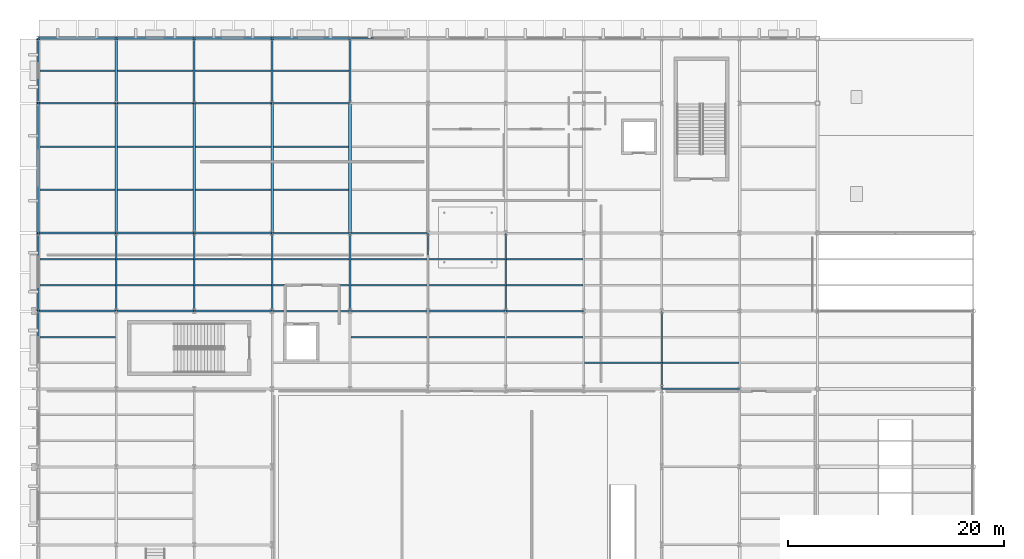
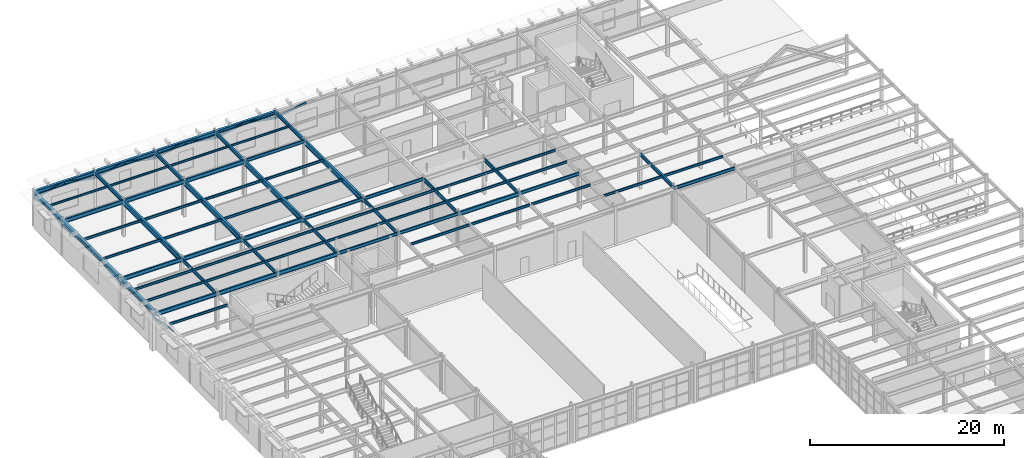
# One storey, part 56 of 126: 71 beams, 16 members.
"""IFC4 building model written with IfcOpenShell, lengths in metres."""

from ifc_helpers import new_model, si_unit, direction, frame, origin, origin_2d, place, context, subcontext, project, spatial, hollow_rectangle, i_section, extrude, material, material_profile, profile_set, type_object, element, save


model = new_model("IFC4")

# Units and contexts
model_context = context("Model", 3, precision=1e-05, world=origin(), true_north=direction((0.0, 1.0)))
body_context = subcontext(model_context, "Body", "Model", "MODEL_VIEW")
ifc_project = project(units=[si_unit("LENGTHUNIT", "METRE"), si_unit("AREAUNIT", "SQUARE_METRE"), si_unit("VOLUMEUNIT", "CUBIC_METRE"), si_unit("PLANEANGLEUNIT", "RADIAN"), si_unit("MASSUNIT", "GRAM", prefix="KILO")], contexts=[model_context])

# Site, building, storey
site_placement = place(None, origin())
site = spatial("IfcSite", under=ifc_project, at=site_placement, CompositionType="ELEMENT")
building_placement = place(site_placement, origin())
building = spatial("IfcBuilding", under=site, at=building_placement, Name="Solvadek Multi-Sports Hall", CompositionType="ELEMENT")
storey_placement = place(building_placement, frame((0.0, 0.0, 9.60009765625)))
storey = spatial("IfcBuildingStorey", under=building, at=storey_placement, Name="L02", CompositionType="ELEMENT", Elevation=9.60009765625)

# Members
ifc_material_1 = material(Name="Steel E350 (350 MPa)", Category="steel")
ifc_material_profile_1 = material_profile(ifc_material_1, hollow_rectangle(XDim=0.14990234375, YDim=0.25, WallThickness=0.010009765625, at=origin_2d()), Name="RHS 250x150x10")
ifc_profile_set_1 = profile_set([ifc_material_profile_1], Name="Steel E350 (350 MPa)")
member_type = type_object("IfcMemberType", Name="STR-ARC-RHS250", PredefinedType="USERDEFINED", material=ifc_profile_set_1)
member_1_placement = place(storey_placement, frame((0.0, 81.60009765625, 4.31982421875), z_axis=(0.0, 0.9831211258, -0.182955874479), x_axis=(-1.0, 0.0, 0.0)))
element("IfcMember", 1, at=member_1_placement, inside=storey, type_object=member_type, Name="L02 West Facade Pointed Ottoman Arch 9R", ObjectType="ARCH_SEGMENT", PredefinedType="USERDEFINED", context=body_context, shape_type="SweptSolid", body=[
    extrude(hollow_rectangle(XDim=0.14990234375, YDim=0.25, WallThickness=0.010009765625, at=origin_2d()), origin(), (0.0, 0.0, 1.0), 3.66162109375),
])
member_2_placement = place(storey_placement, frame((0.0, 85.199951171875, 3.64990234375), z_axis=(0.0, 0.983123357379, 0.182943882588), x_axis=(-1.0, 0.0, 0.0)))
element("IfcMember", 2, at=member_2_placement, inside=storey, type_object=member_type, Name="L02 West Facade Pointed Ottoman Arch 10L", ObjectType="ARCH_SEGMENT", PredefinedType="USERDEFINED", context=body_context, shape_type="SweptSolid", body=[
    extrude(hollow_rectangle(XDim=0.14990234375, YDim=0.25, WallThickness=0.010009765625, at=origin_2d()), origin(), (0.0, 0.0, 1.0), 3.661865234375),
])
member_3_placement = place(storey_placement, frame((0.0, 88.800048828125, 4.31982421875), z_axis=(0.0, 0.9831211258, -0.182955874479), x_axis=(-1.0, 0.0, 0.0)))
element("IfcMember", 3, at=member_3_placement, inside=storey, type_object=member_type, Name="L02 West Facade Pointed Ottoman Arch 10R", ObjectType="ARCH_SEGMENT", PredefinedType="USERDEFINED", context=body_context, shape_type="SweptSolid", body=[
    extrude(hollow_rectangle(XDim=0.14990234375, YDim=0.25, WallThickness=0.010009765625, at=origin_2d()), origin(), (0.0, 0.0, 1.0), 3.66162109375),
])
for number, where, z_axis, x_axis, name in (
    (4, (0.0, 92.39990234375, 3.64990234375), (0.0, 0.993824413205, 0.110964119053), (-1.0, 0.0, 0.0), "L02 West Facade Pointed Ottoman Arch 11L"),
    (5, (0.0, 98.39990234375, 4.31982421875), (0.0, 0.993824413205, -0.110964119053), (-1.0, 0.0, 0.0), "L02 West Facade Pointed Ottoman Arch 11R"),
):
    element("IfcMember", number, at=place(storey_placement, frame(where, z_axis=z_axis, x_axis=x_axis)), inside=storey, type_object=member_type, Name=name, ObjectType="ARCH_SEGMENT", PredefinedType="USERDEFINED", context=body_context, shape_type="SweptSolid", body=[
        extrude(hollow_rectangle(XDim=0.14990234375, YDim=0.25, WallThickness=0.010009765625, at=origin_2d()), origin(), (0.0, 0.0, 1.0), 6.037353515625),
    ])
for number, where, z_axis, x_axis, name in (
    (6, (0.0, 104.39990234375, 3.64990234375), (0.0, 0.975962282529, 0.21793949408), (-1.0, 0.0, 0.0), "L02 West Facade Pointed Ottoman Arch 12L"),
    (7, (0.0, 107.39990234375, 4.31982421875), (0.0, 0.975962282529, -0.21793949408), (-1.0, 0.0, 0.0), "L02 West Facade Pointed Ottoman Arch 12R"),
):
    element("IfcMember", number, at=place(storey_placement, frame(where, z_axis=z_axis, x_axis=x_axis)), inside=storey, type_object=member_type, Name=name, ObjectType="ARCH_SEGMENT", PredefinedType="USERDEFINED", context=body_context, shape_type="SweptSolid", body=[
        extrude(hollow_rectangle(XDim=0.14990234375, YDim=0.25, WallThickness=0.010009765625, at=origin_2d()), origin(), (0.0, 0.0, 1.0), 3.073974609375),
    ])
member_4_placement = place(storey_placement, frame((0.0, 110.39990234375, 3.64990234375), z_axis=(0.983123357379, 0.0, 0.182943882588), x_axis=(0.0, 1.0, 0.0)))
element("IfcMember", 8, at=member_4_placement, inside=storey, type_object=member_type, Name="L02 North Facade Pointed Ottoman Arch 1L", ObjectType="ARCH_SEGMENT", PredefinedType="USERDEFINED", context=body_context, shape_type="SweptSolid", body=[
    extrude(hollow_rectangle(XDim=0.14990234375, YDim=0.25, WallThickness=0.010009765625, at=origin_2d()), origin(), (0.0, 0.0, 1.0), 3.661865234375),
])
member_5_placement = place(storey_placement, frame((3.60009765625, 110.39990234375, 4.31982421875), z_axis=(0.9831211258, 0.0, -0.182955874479), x_axis=(0.0, 1.0, 0.0)))
element("IfcMember", 9, at=member_5_placement, inside=storey, type_object=member_type, Name="L02 North Facade Pointed Ottoman Arch 1R", ObjectType="ARCH_SEGMENT", PredefinedType="USERDEFINED", context=body_context, shape_type="SweptSolid", body=[
    extrude(hollow_rectangle(XDim=0.14990234375, YDim=0.25, WallThickness=0.010009765625, at=origin_2d()), origin(), (0.0, 0.0, 1.0), 3.66162109375),
])
member_6_placement = place(storey_placement, frame((7.199951171875, 110.39990234375, 3.64990234375), z_axis=(0.983123357379, 0.0, 0.182943882588), x_axis=(0.0, 1.0, 0.0)))
element("IfcMember", 10, at=member_6_placement, inside=storey, type_object=member_type, Name="L02 North Facade Pointed Ottoman Arch 2L", ObjectType="ARCH_SEGMENT", PredefinedType="USERDEFINED", context=body_context, shape_type="SweptSolid", body=[
    extrude(hollow_rectangle(XDim=0.14990234375, YDim=0.25, WallThickness=0.010009765625, at=origin_2d()), origin(), (0.0, 0.0, 1.0), 3.661865234375),
])
member_7_placement = place(storey_placement, frame((10.800048828125, 110.39990234375, 4.31982421875), z_axis=(0.9831211258, 0.0, -0.182955874479), x_axis=(0.0, 1.0, 0.0)))
element("IfcMember", 11, at=member_7_placement, inside=storey, type_object=member_type, Name="L02 North Facade Pointed Ottoman Arch 2R", ObjectType="ARCH_SEGMENT", PredefinedType="USERDEFINED", context=body_context, shape_type="SweptSolid", body=[
    extrude(hollow_rectangle(XDim=0.14990234375, YDim=0.25, WallThickness=0.010009765625, at=origin_2d()), origin(), (0.0, 0.0, 1.0), 3.66162109375),
])
for number, where, z_axis, x_axis, name in (
    (12, (14.39990234375, 110.39990234375, 3.64990234375), (0.983123357379, 0.0, 0.182943882588), (0.0, 1.0, 0.0), "L02 North Facade Pointed Ottoman Arch 3L"),
    (13, (18.0, 110.39990234375, 4.31982421875), (0.983123357379, 0.0, -0.182943882588), (0.0, 1.0, 0.0), "L02 North Facade Pointed Ottoman Arch 3R"),
):
    element("IfcMember", number, at=place(storey_placement, frame(where, z_axis=z_axis, x_axis=x_axis)), inside=storey, type_object=member_type, Name=name, ObjectType="ARCH_SEGMENT", PredefinedType="USERDEFINED", context=body_context, shape_type="SweptSolid", body=[
        extrude(hollow_rectangle(XDim=0.14990234375, YDim=0.25, WallThickness=0.010009765625, at=origin_2d()), origin(), (0.0, 0.0, 1.0), 3.661865234375),
    ])
member_8_placement = place(storey_placement, frame((21.60009765625, 110.39990234375, 3.64990234375), z_axis=(0.9831211258, 0.0, 0.182955874479), x_axis=(0.0, 1.0, 0.0)))
element("IfcMember", 14, at=member_8_placement, inside=storey, type_object=member_type, Name="L02 North Facade Pointed Ottoman Arch 4L", ObjectType="ARCH_SEGMENT", PredefinedType="USERDEFINED", context=body_context, shape_type="SweptSolid", body=[
    extrude(hollow_rectangle(XDim=0.14990234375, YDim=0.25, WallThickness=0.010009765625, at=origin_2d()), origin(), (0.0, 0.0, 1.0), 3.66162109375),
])
member_9_placement = place(storey_placement, frame((25.199951171875, 110.39990234375, 4.31982421875), z_axis=(0.983123357379, 0.0, -0.182943882588), x_axis=(0.0, 1.0, 0.0)))
element("IfcMember", 15, at=member_9_placement, inside=storey, type_object=member_type, Name="L02 North Facade Pointed Ottoman Arch 4R", ObjectType="ARCH_SEGMENT", PredefinedType="USERDEFINED", context=body_context, shape_type="SweptSolid", body=[
    extrude(hollow_rectangle(XDim=0.14990234375, YDim=0.25, WallThickness=0.010009765625, at=origin_2d()), origin(), (0.0, 0.0, 1.0), 3.661865234375),
])
member_10_placement = place(storey_placement, frame((28.800048828125, 110.39990234375, 3.64990234375), z_axis=(0.9831211258, 0.0, 0.182955874479), x_axis=(0.0, 1.0, 0.0)))
element("IfcMember", 16, at=member_10_placement, inside=storey, type_object=member_type, Name="L02 North Facade Pointed Ottoman Arch 5L", ObjectType="ARCH_SEGMENT", PredefinedType="USERDEFINED", context=body_context, shape_type="SweptSolid", body=[
    extrude(hollow_rectangle(XDim=0.14990234375, YDim=0.25, WallThickness=0.010009765625, at=origin_2d()), origin(), (0.0, 0.0, 1.0), 3.66162109375),
])

# Beams
ifc_material_profile_2 = material_profile(ifc_material_1, i_section(OverallWidth=0.139892578125, OverallDepth=0.39990234375, WebThickness=0.0087890625, FlangeThickness=0.01611328125, at=origin_2d()), Name="ISMB 400")
ifc_profile_set_2 = profile_set([ifc_material_profile_2], Name="Steel E350 (350 MPa)")
beam_type_1 = type_object("IfcBeamType", Name="STR-BM-ISMB400", PredefinedType="BEAM", material=ifc_profile_set_2)
for number, where, z_axis, x_axis, name in (
    (17, (57.60009765625, 78.0, 4.35986328125), (1.0, 0.0, 0.0), (0.0, 1.0, 0.0), "L02 Girder B-10 #1403"),
    (18, (21.60009765625, 85.199951171875, 4.35986328125), (1.0, 0.0, 0.0), (0.0, 1.0, 0.0), "L02 Girder B-10 #1409"),
    (19, (28.800048828125, 85.199951171875, 4.35986328125), (1.0, 0.0, 0.0), (0.0, 1.0, 0.0), "L02 Girder B-10 #1410"),
    (20, (43.199951171875, 85.199951171875, 4.35986328125), (1.0, 0.0, 0.0), (0.0, 1.0, 0.0), "L02 Girder B-10 #1412"),
    (21, (21.60009765625, 92.39990234375, 4.35986328125), (1.0, 0.0, 0.0), (0.0, 1.0, 0.0), "L02 Girder B-10 #1420"),
    (22, (28.800048828125, 92.39990234375, 4.35986328125), (1.0, 0.0, 0.0), (0.0, 1.0, 0.0), "L02 Girder B-10 #1421"),
    (23, (21.60009765625, 104.39990234375, 4.35986328125), (1.0, 0.0, 0.0), (0.0, 1.0, 0.0), "L02 Girder B-10 #1431"),
):
    element("IfcBeam", number, at=place(storey_placement, frame(where, z_axis=z_axis, x_axis=x_axis)), inside=storey, type_object=beam_type_1, Name=name, PredefinedType="BEAM", context=body_context, shape_type="SweptSolid", body=[
        extrude(i_section(OverallWidth=0.139892578125, OverallDepth=0.39990234375, WebThickness=0.0087890625, FlangeThickness=0.01611328125, at=origin_2d()), origin(), (0.0, 0.0, 1.0), 7.199951171875),
    ])
ifc_material_profile_3 = material_profile(ifc_material_1, i_section(OverallWidth=0.14990234375, OverallDepth=0.449951171875, WebThickness=0.009521484375, FlangeThickness=0.017333984375, at=origin_2d()), Name="ISMB 450")
ifc_profile_set_3 = profile_set([ifc_material_profile_3], Name="Steel E350 (350 MPa)")
beam_type_2 = type_object("IfcBeamType", Name="STR-BM-ISMB450", PredefinedType="BEAM", material=ifc_profile_set_3)
for number, where, z_axis, x_axis, name in (
    (24, (7.199951171875, 85.199951171875, 4.3349609375), (0.0, 1.0, 0.0), (-1.0, 0.0, 0.0), "L02 Girder B-09 #1472"),
    (25, (14.39990234375, 85.199951171875, 4.3349609375), (0.0, 1.0, 0.0), (-1.0, 0.0, 0.0), "L02 Girder B-09 #1483"),
    (26, (21.60009765625, 85.199951171875, 4.3349609375), (0.0, 1.0, 0.0), (-1.0, 0.0, 0.0), "L02 Girder B-09 #1495"),
    (27, (28.800048828125, 85.199951171875, 4.3349609375), (0.0, 1.0, 0.0), (-1.0, 0.0, 0.0), "L02 Girder B-09 #1499"),
    (28, (36.0, 85.199951171875, 4.3349609375), (0.0, 1.0, 0.0), (-1.0, 0.0, 0.0), "L02 Girder B-09 #1504"),
    (29, (43.199951171875, 85.199951171875, 4.3349609375), (0.0, 1.0, 0.0), (-1.0, 0.0, 0.0), "L02 Girder B-09 #1510"),
    (30, (57.60009765625, 78.0, 4.3349609375), (0.0, 1.0, 0.0), (-1.0, 0.0, 0.0), "L02 Girder B-09 #1532"),
):
    element("IfcBeam", number, at=place(storey_placement, frame(where, z_axis=z_axis, x_axis=x_axis)), inside=storey, type_object=beam_type_2, Name=name, PredefinedType="BEAM", context=body_context, shape_type="SweptSolid", body=[
        extrude(i_section(OverallWidth=0.14990234375, OverallDepth=0.449951171875, WebThickness=0.009521484375, FlangeThickness=0.017333984375, at=origin_2d()), origin(), (0.0, 0.0, 1.0), 7.199951171875),
    ])
ifc_material_profile_4 = material_profile(ifc_material_1, i_section(OverallWidth=0.179931640625, OverallDepth=0.5, WebThickness=0.01025390625, FlangeThickness=0.01708984375, at=origin_2d()), Name="ISMB 500")
ifc_profile_set_4 = profile_set([ifc_material_profile_4], Name="Steel E350 (350 MPa)")
beam_type_3 = type_object("IfcBeamType", Name="STR-BM-ISMB500", PredefinedType="BEAM", material=ifc_profile_set_4)
for number, where, z_axis, x_axis, name in (
    (31, (0.0, 85.199951171875, 4.309814453125), (1.0, 0.0, 0.0), (0.0, 1.0, 0.0), "L02 Girder B-07 #1406"),
    (32, (7.199951171875, 85.199951171875, 4.309814453125), (1.0, 0.0, 0.0), (0.0, 1.0, 0.0), "L02 Girder B-07 #1407"),
):
    element("IfcBeam", number, at=place(storey_placement, frame(where, z_axis=z_axis, x_axis=x_axis)), inside=storey, type_object=beam_type_3, Name=name, PredefinedType="BEAM", context=body_context, shape_type="SweptSolid", body=[
        extrude(i_section(OverallWidth=0.179931640625, OverallDepth=0.5, WebThickness=0.01025390625, FlangeThickness=0.01708984375, at=origin_2d()), origin(), (0.0, 0.0, 1.0), 7.199951171875),
    ])
beam_1_placement = place(storey_placement, frame((14.39990234375, 85.199951171875, 4.309814453125), z_axis=(1.0, 0.0, 0.0), x_axis=(0.0, 1.0, 0.0)))
element("IfcBeam", 33, at=beam_1_placement, inside=storey, type_object=beam_type_3, Name="L02 Girder B-07 #1408", PredefinedType="BEAM", context=body_context, shape_type="SweptSolid", body=[
    extrude(i_section(OverallWidth=0.179931640625, OverallDepth=0.5, WebThickness=0.01025390625, FlangeThickness=0.01708984375, at=origin_2d()), origin(), (0.0, 0.0, 1.0), 7.2001953125),
])
for number, where, z_axis, x_axis, name in (
    (34, (36.0, 85.199951171875, 4.309814453125), (1.0, 0.0, 0.0), (0.0, 1.0, 0.0), "L02 Girder B-07 #1411"),
    (35, (0.0, 92.39990234375, 4.309814453125), (1.0, 0.0, 0.0), (0.0, 1.0, 0.0), "L02 Girder B-07 #1417"),
    (36, (7.199951171875, 92.39990234375, 4.309814453125), (1.0, 0.0, 0.0), (0.0, 1.0, 0.0), "L02 Girder B-07 #1418"),
):
    element("IfcBeam", number, at=place(storey_placement, frame(where, z_axis=z_axis, x_axis=x_axis)), inside=storey, type_object=beam_type_3, Name=name, PredefinedType="BEAM", context=body_context, shape_type="SweptSolid", body=[
        extrude(i_section(OverallWidth=0.179931640625, OverallDepth=0.5, WebThickness=0.01025390625, FlangeThickness=0.01708984375, at=origin_2d()), origin(), (0.0, 0.0, 1.0), 7.199951171875),
    ])
beam_2_placement = place(storey_placement, frame((14.39990234375, 92.39990234375, 4.309814453125), z_axis=(1.0, 0.0, 0.0), x_axis=(0.0, 1.0, 0.0)))
element("IfcBeam", 37, at=beam_2_placement, inside=storey, type_object=beam_type_3, Name="L02 Girder B-07 #1419", PredefinedType="BEAM", context=body_context, shape_type="SweptSolid", body=[
    extrude(i_section(OverallWidth=0.179931640625, OverallDepth=0.5, WebThickness=0.01025390625, FlangeThickness=0.01708984375, at=origin_2d()), origin(), (0.0, 0.0, 1.0), 7.2001953125),
])
for number, where, z_axis, x_axis, name in (
    (38, (0.0, 104.39990234375, 4.309814453125), (1.0, 0.0, 0.0), (0.0, 1.0, 0.0), "L02 Girder B-07 #1428"),
    (39, (7.199951171875, 104.39990234375, 4.309814453125), (1.0, 0.0, 0.0), (0.0, 1.0, 0.0), "L02 Girder B-07 #1429"),
):
    element("IfcBeam", number, at=place(storey_placement, frame(where, z_axis=z_axis, x_axis=x_axis)), inside=storey, type_object=beam_type_3, Name=name, PredefinedType="BEAM", context=body_context, shape_type="SweptSolid", body=[
        extrude(i_section(OverallWidth=0.179931640625, OverallDepth=0.5, WebThickness=0.01025390625, FlangeThickness=0.01708984375, at=origin_2d()), origin(), (0.0, 0.0, 1.0), 7.199951171875),
    ])
beam_3_placement = place(storey_placement, frame((14.39990234375, 104.39990234375, 4.309814453125), z_axis=(1.0, 0.0, 0.0), x_axis=(0.0, 1.0, 0.0)))
element("IfcBeam", 40, at=beam_3_placement, inside=storey, type_object=beam_type_3, Name="L02 Girder B-07 #1430", PredefinedType="BEAM", context=body_context, shape_type="SweptSolid", body=[
    extrude(i_section(OverallWidth=0.179931640625, OverallDepth=0.5, WebThickness=0.01025390625, FlangeThickness=0.01708984375, at=origin_2d()), origin(), (0.0, 0.0, 1.0), 7.2001953125),
])
ifc_material_profile_5 = material_profile(ifc_material_1, i_section(OverallWidth=0.18994140625, OverallDepth=0.449951171875, WebThickness=0.009521484375, FlangeThickness=0.0146484375, at=origin_2d()), Name="NPB 450")
ifc_profile_set_5 = profile_set([ifc_material_profile_5], Name="Steel E350 (350 MPa)")
beam_type_4 = type_object("IfcBeamType", Name="STR-BM-NPB450", PredefinedType="BEAM", material=ifc_profile_set_5)
for number, where, z_axis, x_axis, name in (
    (41, (7.199951171875, 104.39990234375, 4.3349609375), (0.0, 1.0, 0.0), (-1.0, 0.0, 0.0), "L02 Girder B-08 #1474"),
    (42, (14.39990234375, 104.39990234375, 4.3349609375), (0.0, 1.0, 0.0), (-1.0, 0.0, 0.0), "L02 Girder B-08 #1485"),
    (43, (21.60009765625, 104.39990234375, 4.3349609375), (0.0, 1.0, 0.0), (-1.0, 0.0, 0.0), "L02 Girder B-08 #1497"),
    (44, (28.800048828125, 104.39990234375, 4.3349609375), (0.0, 1.0, 0.0), (-1.0, 0.0, 0.0), "L02 Girder B-08 #1501"),
):
    element("IfcBeam", number, at=place(storey_placement, frame(where, z_axis=z_axis, x_axis=x_axis)), inside=storey, type_object=beam_type_4, Name=name, PredefinedType="BEAM", context=body_context, shape_type="SweptSolid", body=[
        extrude(i_section(OverallWidth=0.18994140625, OverallDepth=0.449951171875, WebThickness=0.009521484375, FlangeThickness=0.0146484375, at=origin_2d()), origin(), (0.0, 0.0, 1.0), 6.0),
    ])
ifc_material_profile_6 = material_profile(ifc_material_1, i_section(OverallWidth=0.239990234375, OverallDepth=0.64990234375, WebThickness=0.0126953125, FlangeThickness=0.0205078125, at=origin_2d()), Name="NPB 650")
ifc_profile_set_6 = profile_set([ifc_material_profile_6], Name="Steel E350 (350 MPa)")
beam_type_5 = type_object("IfcBeamType", Name="STR-BM-NPB650", PredefinedType="BEAM", material=ifc_profile_set_6)
for number, where, z_axis, x_axis, name in (
    (45, (7.199951171875, 92.39990234375, 4.23486328125), (0.0, 1.0, 0.0), (-1.0, 0.0, 0.0), "L02 Girder B-03 #1473"),
    (46, (14.39990234375, 92.39990234375, 4.23486328125), (0.0, 1.0, 0.0), (-1.0, 0.0, 0.0), "L02 Girder B-03 #1484"),
    (47, (21.60009765625, 92.39990234375, 4.23486328125), (0.0, 1.0, 0.0), (-1.0, 0.0, 0.0), "L02 Girder B-03 #1496"),
    (48, (28.800048828125, 92.39990234375, 4.23486328125), (0.0, 1.0, 0.0), (-1.0, 0.0, 0.0), "L02 Girder B-03 #1500"),
):
    element("IfcBeam", number, at=place(storey_placement, frame(where, z_axis=z_axis, x_axis=x_axis)), inside=storey, type_object=beam_type_5, Name=name, PredefinedType="BEAM", context=body_context, shape_type="SweptSolid", body=[
        extrude(i_section(OverallWidth=0.239990234375, OverallDepth=0.64990234375, WebThickness=0.0126953125, FlangeThickness=0.0205078125, at=origin_2d()), origin(), (0.0, 0.0, 1.0), 12.0),
    ])
ifc_material_2 = material(Name="Steel E250 (250 MPa)", Category="steel")
ifc_material_profile_7 = material_profile(ifc_material_2, i_section(OverallWidth=0.125, OverallDepth=0.25, WebThickness=0.0068359375, FlangeThickness=0.012451171875, at=origin_2d()), Name="ISMB 250")
ifc_profile_set_7 = profile_set([ifc_material_profile_7], Name="Steel E250 (250 MPa)")
beam_type_6 = type_object("IfcBeamType", Name="STR-JST-ISMB250", PredefinedType="JOIST", material=ifc_profile_set_7)
beam_4_placement = place(storey_placement, frame((0.14990234375, 107.39990234375, 4.434814453125), z_axis=(1.0, 0.0, 0.0), x_axis=(0.0, 1.0, 0.0)))
element("IfcBeam", 49, at=beam_4_placement, inside=storey, type_object=beam_type_6, Name="L02 Composite Joist J-04 #895", PredefinedType="JOIST", context=body_context, shape_type="SweptSolid", body=[
    extrude(i_section(OverallWidth=0.125, OverallDepth=0.25, WebThickness=0.0068359375, FlangeThickness=0.012451171875, at=origin_2d()), origin(), (0.0, 0.0, 1.0), 6.955078125),
])
beam_5_placement = place(storey_placement, frame((7.294921875, 107.39990234375, 4.434814453125), z_axis=(1.0, 0.0, 0.0), x_axis=(0.0, 1.0, 0.0)))
element("IfcBeam", 50, at=beam_5_placement, inside=storey, type_object=beam_type_6, Name="L02 Composite Joist J-04 #896", PredefinedType="JOIST", context=body_context, shape_type="SweptSolid", body=[
    extrude(i_section(OverallWidth=0.125, OverallDepth=0.25, WebThickness=0.0068359375, FlangeThickness=0.012451171875, at=origin_2d()), origin(), (0.0, 0.0, 1.0), 7.010009765625),
])
beam_6_placement = place(storey_placement, frame((14.4951171875, 107.39990234375, 4.434814453125), z_axis=(1.0, 0.0, 0.0), x_axis=(0.0, 1.0, 0.0)))
element("IfcBeam", 51, at=beam_6_placement, inside=storey, type_object=beam_type_6, Name="L02 Composite Joist J-04 #897", PredefinedType="JOIST", context=body_context, shape_type="SweptSolid", body=[
    extrude(i_section(OverallWidth=0.125, OverallDepth=0.25, WebThickness=0.0068359375, FlangeThickness=0.012451171875, at=origin_2d()), origin(), (0.0, 0.0, 1.0), 7.009765625),
])
beam_7_placement = place(storey_placement, frame((21.695068359375, 107.39990234375, 4.434814453125), z_axis=(1.0, 0.0, 0.0), x_axis=(0.0, 1.0, 0.0)))
element("IfcBeam", 52, at=beam_7_placement, inside=storey, type_object=beam_type_6, Name="L02 Composite Joist J-04 #898", PredefinedType="JOIST", context=body_context, shape_type="SweptSolid", body=[
    extrude(i_section(OverallWidth=0.125, OverallDepth=0.25, WebThickness=0.0068359375, FlangeThickness=0.012451171875, at=origin_2d()), origin(), (0.0, 0.0, 1.0), 7.010009765625),
])
ifc_material_profile_8 = material_profile(ifc_material_1, i_section(OverallWidth=0.139892578125, OverallDepth=0.300048828125, WebThickness=0.0078125, FlangeThickness=0.01318359375, at=origin_2d()), Name="ISMB 300")
ifc_profile_set_8 = profile_set([ifc_material_profile_8], Name="Steel E350 (350 MPa)")
beam_type_7 = type_object("IfcBeamType", Name="STR-JST-ISMB300", PredefinedType="JOIST", material=ifc_profile_set_8)
beam_8_placement = place(storey_placement, frame((0.14990234375, 82.800048828125, 4.409912109375), z_axis=(1.0, 0.0, 0.0), x_axis=(0.0, 1.0, 0.0)))
element("IfcBeam", 53, at=beam_8_placement, inside=storey, type_object=beam_type_7, Name="L02 Composite Joist J-03 #840", PredefinedType="JOIST", context=body_context, shape_type="SweptSolid", body=[
    extrude(i_section(OverallWidth=0.139892578125, OverallDepth=0.300048828125, WebThickness=0.0078125, FlangeThickness=0.01318359375, at=origin_2d()), origin(), (0.0, 0.0, 1.0), 6.97509765625),
])
for number, where, z_axis, x_axis, name in (
    (54, (28.875, 82.800048828125, 4.409912109375), (1.0, 0.0, 0.0), (0.0, 1.0, 0.0), "L02 Composite Joist J-03 #843"),
    (55, (36.074951171875, 82.800048828125, 4.409912109375), (1.0, 0.0, 0.0), (0.0, 1.0, 0.0), "L02 Composite Joist J-03 #845"),
    (56, (43.27490234375, 82.800048828125, 4.409912109375), (1.0, 0.0, 0.0), (0.0, 1.0, 0.0), "L02 Composite Joist J-03 #847"),
):
    element("IfcBeam", number, at=place(storey_placement, frame(where, z_axis=z_axis, x_axis=x_axis)), inside=storey, type_object=beam_type_7, Name=name, PredefinedType="JOIST", context=body_context, shape_type="SweptSolid", body=[
        extrude(i_section(OverallWidth=0.139892578125, OverallDepth=0.300048828125, WebThickness=0.0078125, FlangeThickness=0.01318359375, at=origin_2d()), origin(), (0.0, 0.0, 1.0), 7.050048828125),
    ])
beam_9_placement = place(storey_placement, frame((50.47509765625, 80.39990234375, 4.409912109375), z_axis=(1.0, 0.0, 0.0), x_axis=(0.0, 1.0, 0.0)))
element("IfcBeam", 57, at=beam_9_placement, inside=storey, type_object=beam_type_7, Name="L02 Composite Joist J-03 #848", PredefinedType="JOIST", context=body_context, shape_type="SweptSolid", body=[
    extrude(i_section(OverallWidth=0.139892578125, OverallDepth=0.300048828125, WebThickness=0.0078125, FlangeThickness=0.01318359375, at=origin_2d()), origin(), (0.0, 0.0, 1.0), 7.0498046875),
])
beam_10_placement = place(storey_placement, frame((57.675048828125, 80.39990234375, 4.409912109375), z_axis=(1.0, 0.0, 0.0), x_axis=(0.0, 1.0, 0.0)))
element("IfcBeam", 58, at=beam_10_placement, inside=storey, type_object=beam_type_7, Name="L02 Composite Joist J-03 #850", PredefinedType="JOIST", context=body_context, shape_type="SweptSolid", body=[
    extrude(i_section(OverallWidth=0.139892578125, OverallDepth=0.300048828125, WebThickness=0.0078125, FlangeThickness=0.01318359375, at=origin_2d()), origin(), (0.0, 0.0, 1.0), 7.050048828125),
])
for number, where, z_axis, x_axis, name in (
    (59, (0.14990234375, 87.60009765625, 4.409912109375), (1.0, 0.0, 0.0), (0.0, 1.0, 0.0), "L02 Composite Joist J-03 #856"),
    (60, (0.14990234375, 90.0, 4.409912109375), (1.0, 0.0, 0.0), (0.0, 1.0, 0.0), "L02 Composite Joist J-03 #857"),
):
    element("IfcBeam", number, at=place(storey_placement, frame(where, z_axis=z_axis, x_axis=x_axis)), inside=storey, type_object=beam_type_7, Name=name, PredefinedType="JOIST", context=body_context, shape_type="SweptSolid", body=[
        extrude(i_section(OverallWidth=0.139892578125, OverallDepth=0.300048828125, WebThickness=0.0078125, FlangeThickness=0.01318359375, at=origin_2d()), origin(), (0.0, 0.0, 1.0), 6.97509765625),
    ])
for number, where, z_axis, x_axis, name in (
    (61, (7.27490234375, 87.60009765625, 4.409912109375), (1.0, 0.0, 0.0), (0.0, 1.0, 0.0), "L02 Composite Joist J-03 #858"),
    (62, (7.27490234375, 90.0, 4.409912109375), (1.0, 0.0, 0.0), (0.0, 1.0, 0.0), "L02 Composite Joist J-03 #859"),
):
    element("IfcBeam", number, at=place(storey_placement, frame(where, z_axis=z_axis, x_axis=x_axis)), inside=storey, type_object=beam_type_7, Name=name, PredefinedType="JOIST", context=body_context, shape_type="SweptSolid", body=[
        extrude(i_section(OverallWidth=0.139892578125, OverallDepth=0.300048828125, WebThickness=0.0078125, FlangeThickness=0.01318359375, at=origin_2d()), origin(), (0.0, 0.0, 1.0), 7.050048828125),
    ])
for number, where, z_axis, x_axis, name in (
    (63, (14.47509765625, 87.60009765625, 4.409912109375), (1.0, 0.0, 0.0), (0.0, 1.0, 0.0), "L02 Composite Joist J-03 #860"),
    (64, (14.47509765625, 90.0, 4.409912109375), (1.0, 0.0, 0.0), (0.0, 1.0, 0.0), "L02 Composite Joist J-03 #861"),
):
    element("IfcBeam", number, at=place(storey_placement, frame(where, z_axis=z_axis, x_axis=x_axis)), inside=storey, type_object=beam_type_7, Name=name, PredefinedType="JOIST", context=body_context, shape_type="SweptSolid", body=[
        extrude(i_section(OverallWidth=0.139892578125, OverallDepth=0.300048828125, WebThickness=0.0078125, FlangeThickness=0.01318359375, at=origin_2d()), origin(), (0.0, 0.0, 1.0), 7.0498046875),
    ])
for number, where, z_axis, x_axis, name in (
    (65, (21.675048828125, 87.60009765625, 4.409912109375), (1.0, 0.0, 0.0), (0.0, 1.0, 0.0), "L02 Composite Joist J-03 #862"),
    (66, (21.675048828125, 90.0, 4.409912109375), (1.0, 0.0, 0.0), (0.0, 1.0, 0.0), "L02 Composite Joist J-03 #863"),
    (67, (28.875, 87.60009765625, 4.409912109375), (1.0, 0.0, 0.0), (0.0, 1.0, 0.0), "L02 Composite Joist J-03 #864"),
    (68, (28.875, 90.0, 4.409912109375), (1.0, 0.0, 0.0), (0.0, 1.0, 0.0), "L02 Composite Joist J-03 #865"),
    (69, (36.074951171875, 87.60009765625, 4.409912109375), (1.0, 0.0, 0.0), (0.0, 1.0, 0.0), "L02 Composite Joist J-03 #866"),
    (70, (36.074951171875, 90.0, 4.409912109375), (1.0, 0.0, 0.0), (0.0, 1.0, 0.0), "L02 Composite Joist J-03 #867"),
    (71, (43.27490234375, 87.60009765625, 4.409912109375), (1.0, 0.0, 0.0), (0.0, 1.0, 0.0), "L02 Composite Joist J-03 #868"),
    (72, (43.27490234375, 90.0, 4.409912109375), (1.0, 0.0, 0.0), (0.0, 1.0, 0.0), "L02 Composite Joist J-03 #869"),
):
    element("IfcBeam", number, at=place(storey_placement, frame(where, z_axis=z_axis, x_axis=x_axis)), inside=storey, type_object=beam_type_7, Name=name, PredefinedType="JOIST", context=body_context, shape_type="SweptSolid", body=[
        extrude(i_section(OverallWidth=0.139892578125, OverallDepth=0.300048828125, WebThickness=0.0078125, FlangeThickness=0.01318359375, at=origin_2d()), origin(), (0.0, 0.0, 1.0), 7.050048828125),
    ])
for number, where, z_axis, x_axis, name in (
    (73, (0.14990234375, 96.39990234375, 4.409912109375), (1.0, 0.0, 0.0), (0.0, 1.0, 0.0), "L02 Composite Joist J-03 #878"),
    (74, (0.14990234375, 100.39990234375, 4.409912109375), (1.0, 0.0, 0.0), (0.0, 1.0, 0.0), "L02 Composite Joist J-03 #879"),
):
    element("IfcBeam", number, at=place(storey_placement, frame(where, z_axis=z_axis, x_axis=x_axis)), inside=storey, type_object=beam_type_7, Name=name, PredefinedType="JOIST", context=body_context, shape_type="SweptSolid", body=[
        extrude(i_section(OverallWidth=0.139892578125, OverallDepth=0.300048828125, WebThickness=0.0078125, FlangeThickness=0.01318359375, at=origin_2d()), origin(), (0.0, 0.0, 1.0), 6.93017578125),
    ])
for number, where, z_axis, x_axis, name in (
    (75, (7.320068359375, 96.39990234375, 4.409912109375), (1.0, 0.0, 0.0), (0.0, 1.0, 0.0), "L02 Composite Joist J-03 #880"),
    (76, (7.320068359375, 100.39990234375, 4.409912109375), (1.0, 0.0, 0.0), (0.0, 1.0, 0.0), "L02 Composite Joist J-03 #881"),
    (77, (14.52001953125, 96.39990234375, 4.409912109375), (1.0, 0.0, 0.0), (0.0, 1.0, 0.0), "L02 Composite Joist J-03 #882"),
    (78, (14.52001953125, 100.39990234375, 4.409912109375), (1.0, 0.0, 0.0), (0.0, 1.0, 0.0), "L02 Composite Joist J-03 #883"),
    (79, (21.719970703125, 96.39990234375, 4.409912109375), (1.0, 0.0, 0.0), (0.0, 1.0, 0.0), "L02 Composite Joist J-03 #884"),
    (80, (21.719970703125, 100.39990234375, 4.409912109375), (1.0, 0.0, 0.0), (0.0, 1.0, 0.0), "L02 Composite Joist J-03 #885"),
):
    element("IfcBeam", number, at=place(storey_placement, frame(where, z_axis=z_axis, x_axis=x_axis)), inside=storey, type_object=beam_type_7, Name=name, PredefinedType="JOIST", context=body_context, shape_type="SweptSolid", body=[
        extrude(i_section(OverallWidth=0.139892578125, OverallDepth=0.300048828125, WebThickness=0.0078125, FlangeThickness=0.01318359375, at=origin_2d()), origin(), (0.0, 0.0, 1.0), 6.9599609375),
    ])
ifc_material_profile_9 = material_profile(ifc_material_1, i_section(OverallWidth=0.300048828125, OverallDepth=0.39990234375, WebThickness=0.013427734375, FlangeThickness=0.02392578125, at=origin_2d()), Name="WPB 400")
ifc_profile_set_9 = profile_set([ifc_material_profile_9], Name="Steel E350 (350 MPa)")
beam_type_8 = type_object("IfcBeamType", Name="STR-SPN-WPB400", PredefinedType="SPANDREL", material=ifc_profile_set_9)
beam_11_placement = place(storey_placement, frame((21.60009765625, 110.39990234375, 4.35986328125), z_axis=(1.0, 0.0, 0.0), x_axis=(0.0, 1.0, 0.0)))
element("IfcBeam", 81, at=beam_11_placement, inside=storey, type_object=beam_type_8, Name="L02 Girder SP-02 #1440", PredefinedType="SPANDREL", context=body_context, shape_type="SweptSolid", body=[
    extrude(i_section(OverallWidth=0.300048828125, OverallDepth=0.39990234375, WebThickness=0.013427734375, FlangeThickness=0.02392578125, at=origin_2d()), origin(), (0.0, 0.0, 1.0), 7.199951171875),
])
beam_12_placement = place(storey_placement, frame((0.0, 104.39990234375, 4.35986328125), z_axis=(0.0, 1.0, 0.0), x_axis=(-1.0, 0.0, 0.0)))
element("IfcBeam", 82, at=beam_12_placement, inside=storey, type_object=beam_type_8, Name="L02 Girder SP-02 #1462", PredefinedType="SPANDREL", context=body_context, shape_type="SweptSolid", body=[
    extrude(i_section(OverallWidth=0.300048828125, OverallDepth=0.39990234375, WebThickness=0.013427734375, FlangeThickness=0.02392578125, at=origin_2d()), origin(), (0.0, 0.0, 1.0), 6.0),
])
ifc_material_profile_10 = material_profile(ifc_material_1, i_section(OverallWidth=0.300048828125, OverallDepth=0.5, WebThickness=0.014404296875, FlangeThickness=0.028076171875, at=origin_2d()), Name="WPB 500")
ifc_profile_set_10 = profile_set([ifc_material_profile_10], Name="Steel E350 (350 MPa)")
beam_type_9 = type_object("IfcBeamType", Name="STR-SPN-WPB500", PredefinedType="SPANDREL", material=ifc_profile_set_10)
for number, where, z_axis, x_axis, name in (
    (83, (0.0, 110.39990234375, 4.309814453125), (1.0, 0.0, 0.0), (0.0, 1.0, 0.0), "L02 Girder SP-01 #1437"),
    (84, (7.199951171875, 110.39990234375, 4.309814453125), (1.0, 0.0, 0.0), (0.0, 1.0, 0.0), "L02 Girder SP-01 #1438"),
):
    element("IfcBeam", number, at=place(storey_placement, frame(where, z_axis=z_axis, x_axis=x_axis)), inside=storey, type_object=beam_type_9, Name=name, PredefinedType="SPANDREL", context=body_context, shape_type="SweptSolid", body=[
        extrude(i_section(OverallWidth=0.300048828125, OverallDepth=0.5, WebThickness=0.014404296875, FlangeThickness=0.028076171875, at=origin_2d()), origin(), (0.0, 0.0, 1.0), 7.199951171875),
    ])
beam_13_placement = place(storey_placement, frame((14.39990234375, 110.39990234375, 4.309814453125), z_axis=(1.0, 0.0, 0.0), x_axis=(0.0, 1.0, 0.0)))
element("IfcBeam", 85, at=beam_13_placement, inside=storey, type_object=beam_type_9, Name="L02 Girder SP-01 #1439", PredefinedType="SPANDREL", context=body_context, shape_type="SweptSolid", body=[
    extrude(i_section(OverallWidth=0.300048828125, OverallDepth=0.5, WebThickness=0.014404296875, FlangeThickness=0.028076171875, at=origin_2d()), origin(), (0.0, 0.0, 1.0), 7.2001953125),
])
beam_14_placement = place(storey_placement, frame((0.0, 85.199951171875, 4.309814453125), z_axis=(0.0, 1.0, 0.0), x_axis=(-1.0, 0.0, 0.0)))
element("IfcBeam", 86, at=beam_14_placement, inside=storey, type_object=beam_type_9, Name="L02 Girder SP-01 #1460", PredefinedType="SPANDREL", context=body_context, shape_type="SweptSolid", body=[
    extrude(i_section(OverallWidth=0.300048828125, OverallDepth=0.5, WebThickness=0.014404296875, FlangeThickness=0.028076171875, at=origin_2d()), origin(), (0.0, 0.0, 1.0), 7.199951171875),
])
beam_15_placement = place(storey_placement, frame((0.0, 92.39990234375, 4.309814453125), z_axis=(0.0, 1.0, 0.0), x_axis=(-1.0, 0.0, 0.0)))
element("IfcBeam", 87, at=beam_15_placement, inside=storey, type_object=beam_type_9, Name="L02 Girder SP-01 #1461", PredefinedType="SPANDREL", context=body_context, shape_type="SweptSolid", body=[
    extrude(i_section(OverallWidth=0.300048828125, OverallDepth=0.5, WebThickness=0.014404296875, FlangeThickness=0.028076171875, at=origin_2d()), origin(), (0.0, 0.0, 1.0), 12.0),
])

save(model, "model.ifc")
